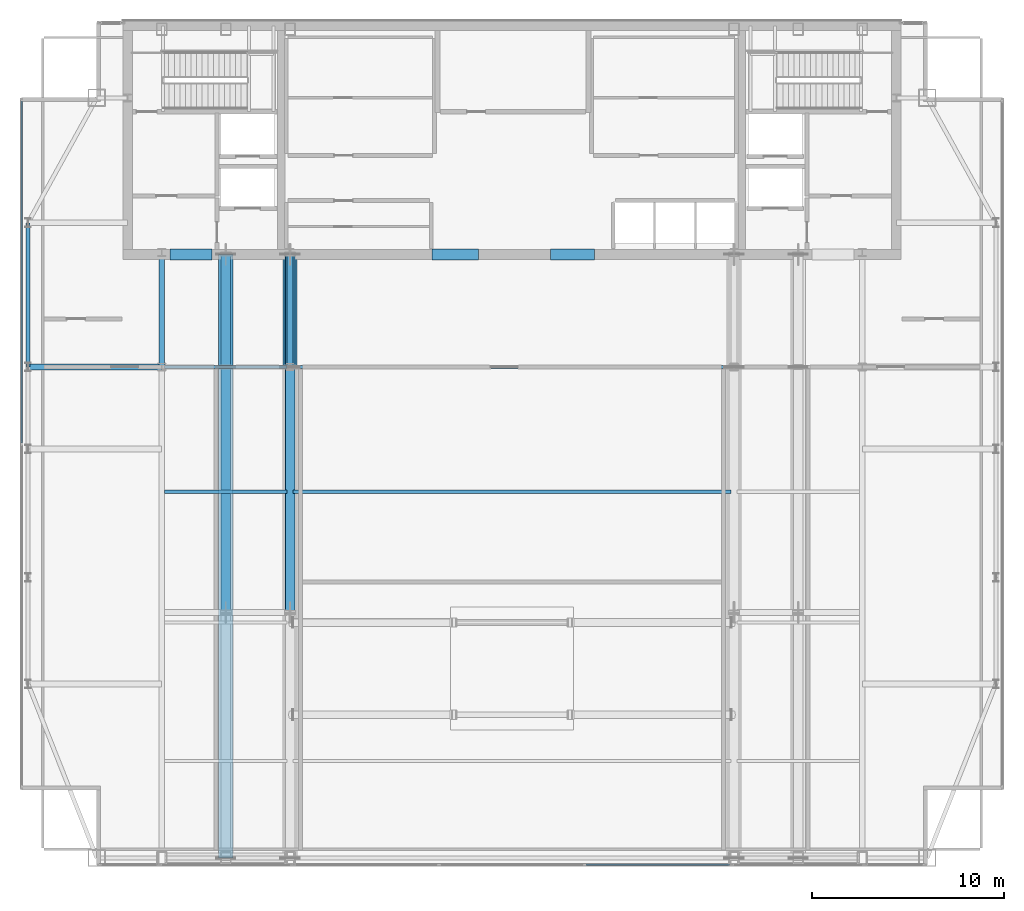
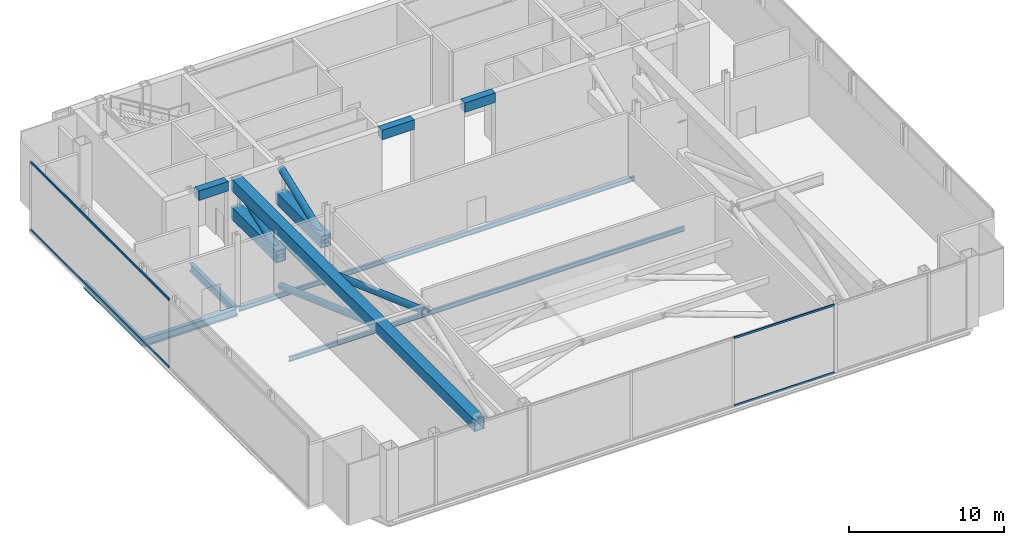
# One storey, part 11 of 26: 11 beams, 11 members, 2 elements without a shape of their own.
"""IFC4 building model written with IfcOpenShell, lengths in metres."""

from ifc_helpers import new_model, si_unit, direction, frame, origin, origin_2d, place, context, subcontext, project, spatial, rectangle, hollow_rectangle, hollow_circle, i_section, extrude, material, material_profile, profile_set, type_object, element, aggregate, save


model = new_model("IFC4")

# Units and contexts
model_context = context("Model", 3, precision=1e-05, world=origin(), true_north=direction((0.0, 1.0)))
body_context = subcontext(model_context, "Body", "Model", "MODEL_VIEW")
ifc_project = project(units=[si_unit("LENGTHUNIT", "METRE"), si_unit("AREAUNIT", "SQUARE_METRE"), si_unit("VOLUMEUNIT", "CUBIC_METRE"), si_unit("PLANEANGLEUNIT", "RADIAN"), si_unit("MASSUNIT", "GRAM", prefix="KILO")], contexts=[model_context])

# Site, building, storey
site_placement = place(None, origin())
site = spatial("IfcSite", under=ifc_project, at=site_placement, CompositionType="ELEMENT")
building_placement = place(site_placement, origin())
building = spatial("IfcBuilding", under=site, at=building_placement, Name="Khoronbel Lancet Exchange", CompositionType="ELEMENT")
storey_placement = place(building_placement, frame((0.0, 0.0, 350.60009765625)))
storey = spatial("IfcBuildingStorey", under=building, at=storey_placement, Name="L91", CompositionType="ELEMENT", Elevation=350.60009765625)

# Beams
ifc_material_1 = material(Name="Steel S355", Category="steel")
ifc_material_profile_1 = material_profile(ifc_material_1, i_section(OverallWidth=0.300048828125, OverallDepth=0.60009765625, WebThickness=0.015380859375, FlangeThickness=0.030029296875, at=origin_2d()), Name="HEB 600")
ifc_profile_set_1 = profile_set([ifc_material_profile_1], Name="Steel S355")
beam_type_1 = type_object("IfcBeamType", Name="BM-BG5", PredefinedType="BEAM", material=ifc_profile_set_1)
for number, where, z_axis, x_axis, name in (
    (1, (18.22509765625, 35.699951171875, -0.52001953125), (0.0, 1.0, 0.0), (-1.0, 0.0, 0.0), "Level L91 spine tie girder GN1"),
    (2, (24.89990234375, 35.699951171875, -0.52001953125), (0.0, 1.0, 0.0), (-1.0, 0.0, 0.0), "Level L91 spine tie girder GN2"),
):
    element("IfcBeam", number, at=place(storey_placement, frame(where, z_axis=z_axis, x_axis=x_axis)), inside=storey, type_object=beam_type_1, Name=name, PredefinedType="BEAM", context=body_context, shape_type="SweptSolid", body=[
        extrude(i_section(OverallWidth=0.300048828125, OverallDepth=0.60009765625, WebThickness=0.015380859375, FlangeThickness=0.030029296875, at=origin_2d()), origin(), (0.0, 0.0, 1.0), 5.85009765625),
    ])
beam_1_placement = place(storey_placement, frame((11.27001953125, 35.699951171875, -0.52001953125), z_axis=(1.0, 0.0, 0.0), x_axis=(0.0, 1.0, 0.0)))
element("IfcBeam", 3, at=beam_1_placement, inside=storey, type_object=beam_type_1, Name="Level L91 west lens tie girder LG4W", PredefinedType="BEAM", context=body_context, shape_type="SweptSolid", body=[
    extrude(i_section(OverallWidth=0.300048828125, OverallDepth=0.60009765625, WebThickness=0.015380859375, FlangeThickness=0.030029296875, at=origin_2d()), origin(), (0.0, 0.0, 1.0), 6.955078125),
])
ifc_material_profile_2 = material_profile(ifc_material_1, i_section(OverallWidth=0.169921875, OverallDepth=0.360107421875, WebThickness=0.008056640625, FlangeThickness=0.0126953125, at=origin_2d()), Name="IPE 360")
ifc_profile_set_2 = profile_set([ifc_material_profile_2], Name="Steel S355")
beam_type_2 = type_object("IfcBeamType", Name="BM-BJ6", PredefinedType="JOIST", material=ifc_profile_set_2)
beam_2_placement = place(storey_placement, frame((18.375, 29.199951171875, -0.400146484375), z_axis=(1.0, 0.0, 0.0), x_axis=(0.0, 1.0, 0.0)))
element("IfcBeam", 4, at=beam_2_placement, inside=storey, type_object=beam_type_2, Name="Level L91 secondary composite joist J07", PredefinedType="JOIST", context=body_context, shape_type="SweptSolid", body=[
    extrude(i_section(OverallWidth=0.169921875, OverallDepth=0.360107421875, WebThickness=0.008056640625, FlangeThickness=0.0126953125, at=origin_2d()), origin(), (0.0, 0.0, 1.0), 6.375),
])
beam_3_placement = place(storey_placement, frame((25.050048828125, 29.199951171875, -0.400146484375), z_axis=(1.0, 0.0, 0.0), x_axis=(0.0, 1.0, 0.0)))
element("IfcBeam", 5, at=beam_3_placement, inside=storey, type_object=beam_type_2, Name="Level L91 secondary composite joist J08", PredefinedType="JOIST", context=body_context, shape_type="SweptSolid", body=[
    extrude(i_section(OverallWidth=0.169921875, OverallDepth=0.360107421875, WebThickness=0.008056640625, FlangeThickness=0.0126953125, at=origin_2d()), origin(), (0.0, 0.0, 1.0), 22.800048828125),
])
beam_4_placement = place(storey_placement, frame((18.375, 35.699951171875, -0.400146484375), z_axis=(1.0, 0.0, 0.0), x_axis=(0.0, 1.0, 0.0)))
element("IfcBeam", 6, at=beam_4_placement, inside=storey, type_object=beam_type_2, Name="Level L91 secondary composite joist J10", PredefinedType="JOIST", context=body_context, shape_type="SweptSolid", body=[
    extrude(i_section(OverallWidth=0.169921875, OverallDepth=0.360107421875, WebThickness=0.008056640625, FlangeThickness=0.0126953125, at=origin_2d()), origin(), (0.0, 0.0, 1.0), 6.375),
])
beam_5_placement = place(storey_placement, frame((25.050048828125, 35.699951171875, -0.400146484375), z_axis=(1.0, 0.0, 0.0), x_axis=(0.0, 1.0, 0.0)))
element("IfcBeam", 7, at=beam_5_placement, inside=storey, type_object=beam_type_2, Name="Level L91 secondary composite joist J11", PredefinedType="JOIST", context=body_context, shape_type="SweptSolid", body=[
    extrude(i_section(OverallWidth=0.169921875, OverallDepth=0.360107421875, WebThickness=0.008056640625, FlangeThickness=0.0126953125, at=origin_2d()), origin(), (0.0, 0.0, 1.0), 22.800048828125),
])
ifc_material_2 = material(Name="Concrete C60/75", Category="concrete")
ifc_material_profile_3 = material_profile(ifc_material_2, rectangle(XDim=0.550048828125, YDim=0.75, at=origin_2d()), Name="RC 550x750")
ifc_profile_set_3 = profile_set([ifc_material_profile_3], Name="Concrete C60/75")
beam_type_3 = type_object("IfcBeamType", Name="BM-BL2", PredefinedType="LINTEL", material=ifc_profile_set_3)
beam_6_placement = place(storey_placement, frame((18.64990234375, 41.550048828125, 5.02490234375), z_axis=(1.0, 0.0, 0.0), x_axis=(0.0, 1.0, 0.0)))
element("IfcBeam", 8, at=beam_6_placement, inside=storey, type_object=beam_type_3, Name="Level L91 rear core coupling lintel L1", PredefinedType="LINTEL", context=body_context, shape_type="SweptSolid", body=[
    extrude(rectangle(XDim=0.550048828125, YDim=0.75, at=origin_2d()), origin(), (0.0, 0.0, 1.0), 2.2001953125),
])
beam_7_placement = place(storey_placement, frame((32.300048828125, 41.550048828125, 5.02490234375), z_axis=(1.0, 0.0, 0.0), x_axis=(0.0, 1.0, 0.0)))
element("IfcBeam", 9, at=beam_7_placement, inside=storey, type_object=beam_type_3, Name="Level L91 rear core coupling lintel L2", PredefinedType="LINTEL", context=body_context, shape_type="SweptSolid", body=[
    extrude(rectangle(XDim=0.550048828125, YDim=0.75, at=origin_2d()), origin(), (0.0, 0.0, 1.0), 2.39990234375),
])
beam_8_placement = place(storey_placement, frame((38.449951171875, 41.550048828125, 5.02490234375), z_axis=(1.0, 0.0, 0.0), x_axis=(0.0, 1.0, 0.0)))
element("IfcBeam", 10, at=beam_8_placement, inside=storey, type_object=beam_type_3, Name="Level L91 rear core coupling lintel L3", PredefinedType="LINTEL", context=body_context, shape_type="SweptSolid", body=[
    extrude(rectangle(XDim=0.550048828125, YDim=0.75, at=origin_2d()), origin(), (0.0, 0.0, 1.0), 2.300048828125),
])
ifc_material_profile_4 = material_profile(ifc_material_1, i_section(OverallWidth=0.2099609375, OverallDepth=0.550048828125, WebThickness=0.010986328125, FlangeThickness=0.01708984375, at=origin_2d()), Name="IPE 550")
ifc_profile_set_4 = profile_set([ifc_material_profile_4], Name="Steel S355")
beam_type_4 = type_object("IfcBeamType", Name="BM-BSP3", PredefinedType="SPANDREL", material=ifc_profile_set_4)
beam_9_placement = place(storey_placement, frame((11.27001953125, 43.199951171875, -0.4951171875), z_axis=(0.0, -1.0, 0.0), x_axis=(1.0, 0.0, 0.0)))
element("IfcBeam", 11, at=beam_9_placement, inside=storey, type_object=beam_type_4, Name="Level L91 perimeter spandrel beam SP15", PredefinedType="SPANDREL", context=body_context, shape_type="SweptSolid", body=[
    extrude(i_section(OverallWidth=0.2099609375, OverallDepth=0.550048828125, WebThickness=0.010986328125, FlangeThickness=0.01708984375, at=origin_2d()), origin(), (0.0, 0.0, 1.0), 7.5),
])

# Curtain wall, members
ifc_material_3 = material(Name="Low-E Solar Control Insulating Glass", Category="glass")
curtain_wall_type = type_object("IfcCurtainWallType", Name="CW-6", PredefinedType="NOTDEFINED", material=ifc_material_3)
curtain_wall_1_placement = place(storey_placement, origin())
curtain_wall_1 = element("IfcCurtainWall", 12, at=curtain_wall_1_placement, inside=storey, type_object=curtain_wall_type, Name="Unitised curtain wall CW-L91-E03", PredefinedType="NOTDEFINED")
ifc_material_4 = material(Name="Bronze-Anodised Aluminium 6063-T6", Category="aluminium")
ifc_material_profile_5 = material_profile(ifc_material_4, hollow_rectangle(XDim=0.0849609375, YDim=0.179931640625, WallThickness=0.0048828125, at=origin_2d()), Name="ALU TRANSOM 85x180")
ifc_profile_set_5 = profile_set([ifc_material_profile_5], Name="Bronze-Anodised Aluminium 6063-T6")
member_type_1 = type_object("IfcMemberType", Name="MEM-CWT1", PredefinedType="USERDEFINED", material=ifc_profile_set_5)
member_1_placement = place(storey_placement, frame((10.93994140625, 31.737548828125, 0.04248046875), z_axis=(0.0, 1.0, 0.0), x_axis=(-1.0, 0.0, 0.0)))
member_1 = element("IfcMember", 13, at=member_1_placement, type_object=member_type_1, Name="CW6 transom 2.1", ObjectType="TRANSOM", PredefinedType="USERDEFINED", context=body_context, shape_type="SweptSolid", body=[
    extrude(hollow_rectangle(XDim=0.0849609375, YDim=0.179931640625, WallThickness=0.0048828125, at=origin_2d()), origin(), (0.0, 0.0, 1.0), 17.79736328125),
])
member_2_placement = place(storey_placement, frame((10.93994140625, 31.737548828125, 5.357421875), z_axis=(0.0, 1.0, 0.0), x_axis=(-1.0, 0.0, 0.0)))
member_2 = element("IfcMember", 14, at=member_2_placement, type_object=member_type_1, Name="CW6 transom 2.2", ObjectType="TRANSOM", PredefinedType="USERDEFINED", context=body_context, shape_type="SweptSolid", body=[
    extrude(hollow_rectangle(XDim=0.0849609375, YDim=0.179931640625, WallThickness=0.0048828125, at=origin_2d()), origin(), (0.0, 0.0, 1.0), 17.79736328125),
])
aggregate(curtain_wall_1, [member_1, member_2])

curtain_wall_2_placement = place(storey_placement, origin())
curtain_wall_2 = element("IfcCurtainWall", 15, at=curtain_wall_2_placement, inside=storey, type_object=curtain_wall_type, Name="Unitised curtain wall CW-L91-SC-TMD", PredefinedType="NOTDEFINED")
ifc_material_profile_6 = material_profile(ifc_material_4, hollow_rectangle(XDim=0.074951171875, YDim=0.14990234375, WallThickness=0.00439453125, at=origin_2d()), Name="ALU TRANSOM 75x150")
ifc_profile_set_6 = profile_set([ifc_material_profile_6], Name="Bronze-Anodised Aluminium 6063-T6")
member_type_2 = type_object("IfcMemberType", Name="MEM-CWT2", PredefinedType="USERDEFINED", material=ifc_profile_set_6)
member_3_placement = place(storey_placement, frame((40.28759765625, 9.7900390625, 0.037353515625), z_axis=(1.0, 0.0, 0.0), x_axis=(0.0, 1.0, 0.0)))
member_3 = element("IfcMember", 16, at=member_3_placement, type_object=member_type_2, Name="CW6 transom 3.1", ObjectType="TRANSOM", PredefinedType="USERDEFINED", context=body_context, shape_type="SweptSolid", body=[
    extrude(hollow_rectangle(XDim=0.074951171875, YDim=0.14990234375, WallThickness=0.00439453125, at=origin_2d()), origin(), (0.0, 0.0, 1.0), 7.4873046875),
])
member_4_placement = place(storey_placement, frame((40.28759765625, 9.7900390625, 5.3623046875), z_axis=(1.0, 0.0, 0.0), x_axis=(0.0, 1.0, 0.0)))
member_4 = element("IfcMember", 17, at=member_4_placement, type_object=member_type_2, Name="CW6 transom 3.2", ObjectType="TRANSOM", PredefinedType="USERDEFINED", context=body_context, shape_type="SweptSolid", body=[
    extrude(hollow_rectangle(XDim=0.074951171875, YDim=0.14990234375, WallThickness=0.00439453125, at=origin_2d()), origin(), (0.0, 0.0, 1.0), 7.4873046875),
])
aggregate(curtain_wall_2, [member_3, member_4])

# Members
ifc_material_5 = material(Name="Steel S460", Category="steel")
ifc_material_profile_7 = material_profile(ifc_material_5, hollow_circle(Radius=0.25390625, WallThickness=0.02490234375, at=origin_2d()), Name="CHS 508x25")
ifc_profile_set_7 = profile_set([ifc_material_profile_7], Name="Steel S460")
member_type_3 = type_object("IfcMemberType", Name="MEM-OBR2", PredefinedType="BRACE", material=ifc_profile_set_7)
member_5_placement = place(storey_placement, frame((21.5625, 22.925048828125, 4.89990234375), z_axis=(0.0, 0.940860819869, -0.338793325841), x_axis=(-1.0, 0.0, 0.0)))
element("IfcMember", 18, at=member_5_placement, inside=storey, type_object=member_type_3, Name="Outrigger truss diagonal L91-1-2", PredefinedType="BRACE", context=body_context, shape_type="SweptSolid", body=[
    extrude(hollow_circle(Radius=0.25390625, WallThickness=0.02490234375, at=origin_2d()), origin(), (0.0, 0.0, 1.0), 13.577880859375),
])
member_6_placement = place(storey_placement, frame((21.5625, 35.699951171875, 2.679931640625), z_axis=(0.0, 0.934946209251, 0.354789495064), x_axis=(-1.0, 0.0, 0.0)))
element("IfcMember", 19, at=member_6_placement, inside=storey, type_object=member_type_3, Name="Outrigger truss diagonal L91-1-3", PredefinedType="BRACE", context=body_context, shape_type="SweptSolid", body=[
    extrude(hollow_circle(Radius=0.25390625, WallThickness=0.02490234375, at=origin_2d()), origin(), (0.0, 0.0, 1.0), 6.257080078125),
])
member_7_placement = place(storey_placement, frame((24.89990234375, 22.925048828125, 4.89990234375), z_axis=(0.0, 0.940860819869, -0.338793325841), x_axis=(-1.0, 0.0, 0.0)))
element("IfcMember", 20, at=member_7_placement, inside=storey, type_object=member_type_3, Name="Outrigger truss diagonal L91-2-2", PredefinedType="BRACE", context=body_context, shape_type="SweptSolid", body=[
    extrude(hollow_circle(Radius=0.25390625, WallThickness=0.02490234375, at=origin_2d()), origin(), (0.0, 0.0, 1.0), 13.577880859375),
])
member_8_placement = place(storey_placement, frame((24.89990234375, 35.699951171875, 2.679931640625), z_axis=(0.0, 0.934946209251, 0.354789495064), x_axis=(-1.0, 0.0, 0.0)))
element("IfcMember", 21, at=member_8_placement, inside=storey, type_object=member_type_3, Name="Outrigger truss diagonal L91-2-3", PredefinedType="BRACE", context=body_context, shape_type="SweptSolid", body=[
    extrude(hollow_circle(Radius=0.25390625, WallThickness=0.02490234375, at=origin_2d()), origin(), (0.0, 0.0, 1.0), 6.257080078125),
])
ifc_material_profile_8 = material_profile(ifc_material_5, hollow_rectangle(XDim=0.75, YDim=0.949951171875, WallThickness=0.054931640625, at=origin_2d()), Name="BOX 950x750x55")
ifc_profile_set_8 = profile_set([ifc_material_profile_8], Name="Steel S460")
member_type_4 = type_object("IfcMemberType", Name="MEM-OCH2", PredefinedType="CHORD", material=ifc_profile_set_8)
member_9_placement = place(storey_placement, frame((21.5625, 35.699951171875, 2.679931640625), z_axis=(0.0, 1.0, 0.0), x_axis=(-1.0, 0.0, 0.0)))
element("IfcMember", 22, at=member_9_placement, inside=storey, type_object=member_type_4, Name="Outrigger corridor portal tie chord L91-1-COR", PredefinedType="CHORD", context=body_context, shape_type="SweptSolid", body=[
    extrude(hollow_rectangle(XDim=0.75, YDim=0.949951171875, WallThickness=0.054931640625, at=origin_2d()), origin(), (0.0, 0.0, 1.0), 5.85009765625),
])
member_10_placement = place(storey_placement, frame((21.5625, 10.14990234375, 4.89990234375), z_axis=(0.0, 1.0, 0.0), x_axis=(-1.0, 0.0, 0.0)))
element("IfcMember", 23, at=member_10_placement, inside=storey, type_object=member_type_4, Name="Outrigger truss top chord L91-1-TOP", PredefinedType="CHORD", context=body_context, shape_type="SweptSolid", body=[
    extrude(hollow_rectangle(XDim=0.75, YDim=0.949951171875, WallThickness=0.054931640625, at=origin_2d()), origin(), (0.0, 0.0, 1.0), 31.400146484375),
])
member_11_placement = place(storey_placement, frame((24.89990234375, 35.699951171875, 2.679931640625), z_axis=(0.0, 1.0, 0.0), x_axis=(-1.0, 0.0, 0.0)))
element("IfcMember", 24, at=member_11_placement, inside=storey, type_object=member_type_4, Name="Outrigger corridor portal tie chord L91-2-COR", PredefinedType="CHORD", context=body_context, shape_type="SweptSolid", body=[
    extrude(hollow_rectangle(XDim=0.75, YDim=0.949951171875, WallThickness=0.054931640625, at=origin_2d()), origin(), (0.0, 0.0, 1.0), 5.85009765625),
])

save(model, "model.ifc")
